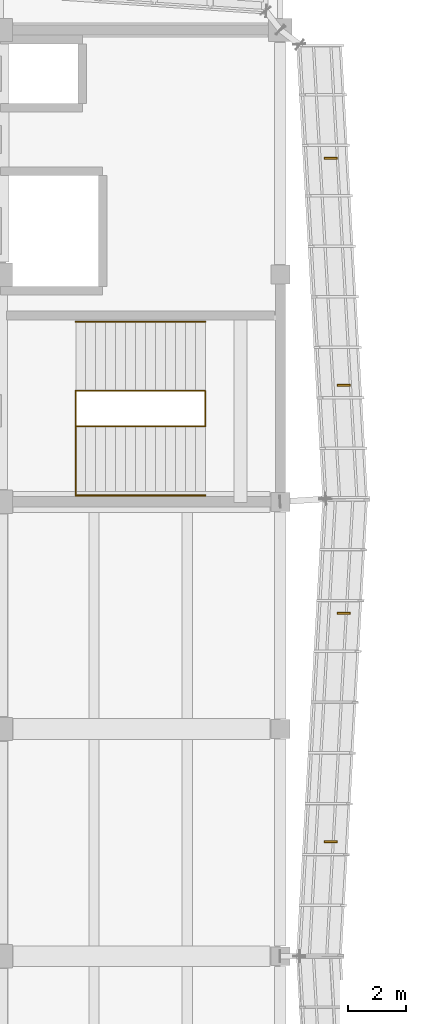
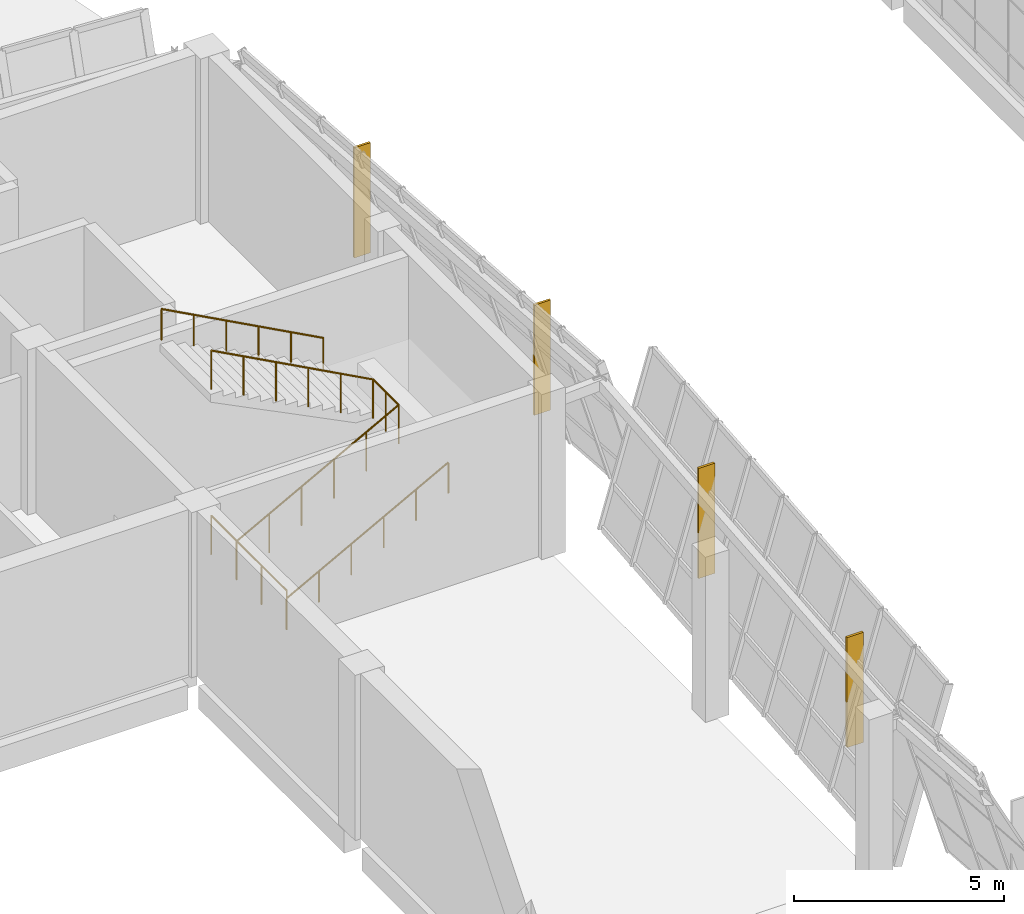
# One storey, part 77 of 79: 4 railings, 4 shading devices.
"""IFC4 building model written with IfcOpenShell, lengths in metres."""

from ifc_helpers import new_model, si_unit, direction, frame, origin, origin_2d, place, context, subcontext, project, spatial, rectangle, circle, extrude, material, type_object, element, save


model = new_model("IFC4")

# Units and contexts
model_context = context("Model", 3, precision=1e-05, world=origin(), true_north=direction((0.0, 1.0)))
body_context = subcontext(model_context, "Body", "Model", "MODEL_VIEW")
ifc_project = project(units=[si_unit("LENGTHUNIT", "METRE"), si_unit("AREAUNIT", "SQUARE_METRE"), si_unit("VOLUMEUNIT", "CUBIC_METRE"), si_unit("PLANEANGLEUNIT", "RADIAN"), si_unit("MASSUNIT", "GRAM", prefix="KILO")], contexts=[model_context])

# Site, building, storey
site_placement = place(None, origin())
site = spatial("IfcSite", under=ifc_project, at=site_placement, CompositionType="ELEMENT")
building_placement = place(site_placement, origin())
building = spatial("IfcBuilding", under=site, at=building_placement, Name="Pellamere Symphony Hall", CompositionType="ELEMENT")
storey_placement = place(building_placement, frame((0.0, 0.0, 10.199951171875)))
storey = spatial("IfcBuildingStorey", under=building, at=storey_placement, Name="L02", CompositionType="ELEMENT", Elevation=10.199951171875)

# Shading devices
ifc_material_1 = material(Name="Champagne-Anodised Extruded Aluminium 6063-T6", Category="aluminium")
shading_device_type = type_object("IfcShadingDeviceType", Name="Exterior Shading SD-01 65x450", PredefinedType="SHUTTER", material=ifc_material_1)
for number, where, z_axis, x_axis, name in (
    (1, (120.52587890625, 65.72509765625, 0.80029296875), (0.0, 0.0, 1.0), (0.0, 1.0, 0.0), "Crystal Acoustic Sunshade Fin CW-CR08 (L02)"),
    (2, (120.975830078125, 73.574951171875, 0.80029296875), (0.0, 0.0, 1.0), (0.0, 1.0, 0.0), "Crystal Acoustic Sunshade Fin CW-CR08 (L02)"),
    (3, (120.975830078125, 81.39990234375, 0.80029296875), (0.0, 0.0, 1.0), (0.0, 1.0, 0.0), "Crystal Acoustic Sunshade Fin CW-CR09 (L02)"),
    (4, (120.52587890625, 89.199951171875, 0.80029296875), (0.0, 0.0, 1.0), (0.0, 1.0, 0.0), "Crystal Acoustic Sunshade Fin CW-CR09 (L02)"),
):
    element("IfcShadingDevice", number, at=place(storey_placement, frame(where, z_axis=z_axis, x_axis=x_axis)), inside=storey, type_object=shading_device_type, Name=name, PredefinedType="SHUTTER", context=body_context, shape_type="SweptSolid", body=[
        extrude(rectangle(XDim=0.06494140625, YDim=0.449951171875, at=origin_2d()), origin(), (0.0, 0.0, 1.0), 3.199951171875),
    ])

# Railings
ifc_material_2 = material(Name="Painted Steel CSA G40.21 350W", Category="steel")
railing_type_1 = type_object("IfcRailingType", Name="Guardrail GR-02 H1150 Painted", PredefinedType="GUARDRAIL", material=ifc_material_2)
railing_1_placement = place(storey_placement, frame((111.77490234375, 79.989990234375, 0.0)))
element("IfcRailing", 5, at=railing_1_placement, inside=storey, type_object=railing_type_1, Name="Stair ST04-L02 Continuous Well Guardrail (L02)", PredefinedType="GUARDRAIL", context=body_context, shape_type="SweptSolid", body=[
    extrude(circle(Radius=0.02392578125, at=origin_2d()), frame((0.0, 0.0, 1.1259765625), z_axis=(0.880149953968, 0.0, 0.474695753646), x_axis=(0.0, 1.0, 0.0)), (0.0, 0.0, 1.0), 5.05615234375),
    extrude(circle(Radius=0.02392578125, at=origin_2d()), frame((4.4501953125, 0.0, 3.52587890625), z_axis=(0.0, 1.0, 0.0), x_axis=(-1.0, 0.0, 0.0)), (0.0, 0.0, 1.0), 1.219970703125),
    extrude(circle(Radius=0.02392578125, at=origin_2d()), frame((4.4501953125, 1.219970703125, 3.52587890625), z_axis=(-0.880170127527, 0.0, 0.474658347245), x_axis=(0.0, -1.0, 0.0)), (0.0, 0.0, 1.0), 5.05615234375),
    extrude(circle(Radius=0.02099609375, at=origin_2d()), origin(), (0.0, 0.0, 1.0), 1.101806640625),
    extrude(circle(Radius=0.02099609375, at=origin_2d()), frame((0.89013671875, 0.0, 0.47998046875)), (0.0, 0.0, 1.0), 1.101806640625),
    extrude(circle(Radius=0.02099609375, at=origin_2d()), frame((1.780029296875, 0.0, 0.9599609375)), (0.0, 0.0, 1.0), 1.101806640625),
    extrude(circle(Radius=0.02099609375, at=origin_2d()), frame((2.670166015625, 0.0, 1.440185546875)), (0.0, 0.0, 1.0), 1.101806640625),
    extrude(circle(Radius=0.02099609375, at=origin_2d()), frame((3.56005859375, 0.0, 1.920166015625)), (0.0, 0.0, 1.0), 1.101806640625),
    extrude(circle(Radius=0.02099609375, at=origin_2d()), frame((4.4501953125, 0.0, 2.400146484375)), (0.0, 0.0, 1.0), 1.101806640625),
    extrude(circle(Radius=0.02099609375, at=origin_2d()), frame((4.4501953125, 0.60986328125, 2.400146484375)), (0.0, 0.0, 1.0), 1.101806640625),
    extrude(circle(Radius=0.02099609375, at=origin_2d()), frame((4.4501953125, 1.219970703125, 2.400146484375)), (0.0, 0.0, 1.0), 1.101806640625),
    extrude(circle(Radius=0.02099609375, at=origin_2d()), frame((3.56005859375, 1.219970703125, 2.880126953125)), (0.0, 0.0, 1.0), 1.101806640625),
    extrude(circle(Radius=0.02099609375, at=origin_2d()), frame((2.670166015625, 1.219970703125, 3.360107421875)), (0.0, 0.0, 1.0), 1.101806640625),
    extrude(circle(Radius=0.02099609375, at=origin_2d()), frame((1.780029296875, 1.219970703125, 3.840087890625)), (0.0, 0.0, 1.0), 1.101806640625),
    extrude(circle(Radius=0.02099609375, at=origin_2d()), frame((0.89013671875, 1.219970703125, 4.320068359375)), (0.0, 0.0, 1.0), 1.101806640625),
    extrude(circle(Radius=0.02099609375, at=origin_2d()), frame((0.0, 1.219970703125, 4.800048828125)), (0.0, 0.0, 1.0), 1.101806640625),
])
railing_2_placement = place(storey_placement, frame((111.77490234375, 77.610107421875, 0.0)))
element("IfcRailing", 6, at=railing_2_placement, inside=storey, type_object=railing_type_1, Name="Stair ST04-L02 Landing Well Slot Guard (L02)", PredefinedType="GUARDRAIL", context=body_context, shape_type="SweptSolid", body=[
    extrude(circle(Radius=0.02392578125, at=origin_2d()), frame((0.0, 0.0, 1.1259765625), z_axis=(0.0, 1.0, 0.0), x_axis=(-1.0, 0.0, 0.0)), (0.0, 0.0, 1.0), 3.599853515625),
    extrude(circle(Radius=0.02099609375, at=origin_2d()), origin(), (0.0, 0.0, 1.0), 1.101806640625),
    extrude(circle(Radius=0.02099609375, at=origin_2d()), frame((0.0, 1.199951171875, 0.0)), (0.0, 0.0, 1.0), 1.101806640625),
    extrude(circle(Radius=0.02099609375, at=origin_2d()), frame((0.0, 2.39990234375, 0.0)), (0.0, 0.0, 1.0), 1.101806640625),
    extrude(circle(Radius=0.02099609375, at=origin_2d()), frame((0.0, 3.599853515625, 0.0)), (0.0, 0.0, 1.0), 1.101806640625),
])
ifc_material_3 = material(Name="Stainless Steel AISI 316", Category="steel")
railing_type_2 = type_object("IfcRailingType", Name="Handrail HR-01 H920 Stainless", PredefinedType="HANDRAIL", material=ifc_material_3)
railing_3_placement = place(storey_placement, frame((111.77490234375, 77.6201171875, 0.0)))
element("IfcRailing", 7, at=railing_3_placement, inside=storey, type_object=railing_type_2, Name="Stair ST04-L02 Lower Wall Handrail (L02)", PredefinedType="HANDRAIL", context=body_context, shape_type="SweptSolid", body=[
    extrude(circle(Radius=0.02392578125, at=origin_2d()), frame((0.0, 0.0, 0.89599609375), z_axis=(0.880149953968, 0.0, 0.474695753646), x_axis=(0.0, 1.0, 0.0)), (0.0, 0.0, 1.0), 5.05615234375),
    extrude(circle(Radius=0.02099609375, at=origin_2d()), origin(), (0.0, 0.0, 1.0), 0.871826171875),
    extrude(circle(Radius=0.02099609375, at=origin_2d()), frame((0.89013671875, 0.0, 0.47998046875)), (0.0, 0.0, 1.0), 0.871826171875),
    extrude(circle(Radius=0.02099609375, at=origin_2d()), frame((1.780029296875, 0.0, 0.9599609375)), (0.0, 0.0, 1.0), 0.871826171875),
    extrude(circle(Radius=0.02099609375, at=origin_2d()), frame((2.670166015625, 0.0, 1.440185546875)), (0.0, 0.0, 1.0), 0.871826171875),
    extrude(circle(Radius=0.02099609375, at=origin_2d()), frame((3.56005859375, 0.0, 1.920166015625)), (0.0, 0.0, 1.0), 0.871826171875),
    extrude(circle(Radius=0.02099609375, at=origin_2d()), frame((4.4501953125, 0.0, 2.400146484375)), (0.0, 0.0, 1.0), 0.871826171875),
])
railing_4_placement = place(storey_placement, frame((116.22509765625, 83.580078125, 2.400146484375)))
element("IfcRailing", 8, at=railing_4_placement, inside=storey, type_object=railing_type_2, Name="Stair ST04-L02 Upper Wall Handrail (L02)", PredefinedType="HANDRAIL", context=body_context, shape_type="SweptSolid", body=[
    extrude(circle(Radius=0.02392578125, at=origin_2d()), frame((0.0, 0.0, 0.89599609375), z_axis=(-0.880170127527, 0.0, 0.474658347245), x_axis=(0.0, -1.0, 0.0)), (0.0, 0.0, 1.0), 5.05615234375),
    extrude(circle(Radius=0.02099609375, at=origin_2d()), origin(), (0.0, 0.0, 1.0), 0.871826171875),
    extrude(circle(Radius=0.02099609375, at=origin_2d()), frame((-0.89013671875, 0.0, 0.47998046875)), (0.0, 0.0, 1.0), 0.871826171875),
    extrude(circle(Radius=0.02099609375, at=origin_2d()), frame((-1.780029296875, 0.0, 0.9599609375)), (0.0, 0.0, 1.0), 0.871826171875),
    extrude(circle(Radius=0.02099609375, at=origin_2d()), frame((-2.670166015625, 0.0, 1.43994140625)), (0.0, 0.0, 1.0), 0.871826171875),
    extrude(circle(Radius=0.02099609375, at=origin_2d()), frame((-3.56005859375, 0.0, 1.919921875)), (0.0, 0.0, 1.0), 0.871826171875),
    extrude(circle(Radius=0.02099609375, at=origin_2d()), frame((-4.4501953125, 0.0, 2.39990234375)), (0.0, 0.0, 1.0), 0.871826171875),
])

save(model, "model.ifc")
